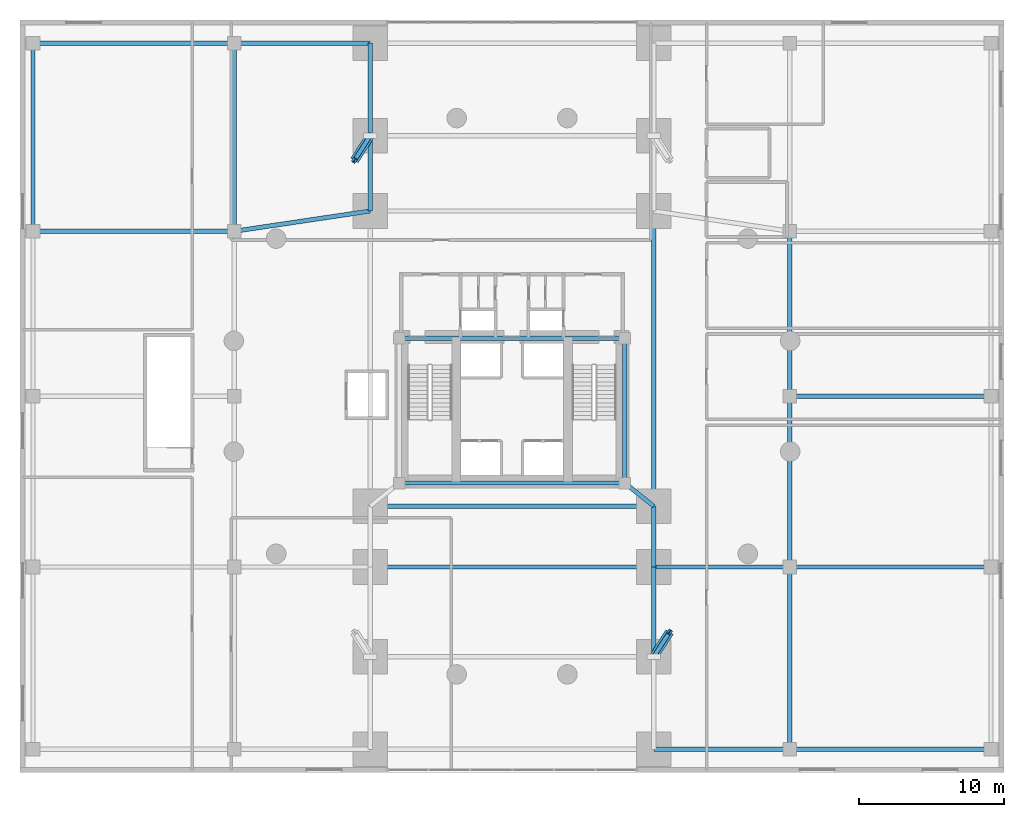
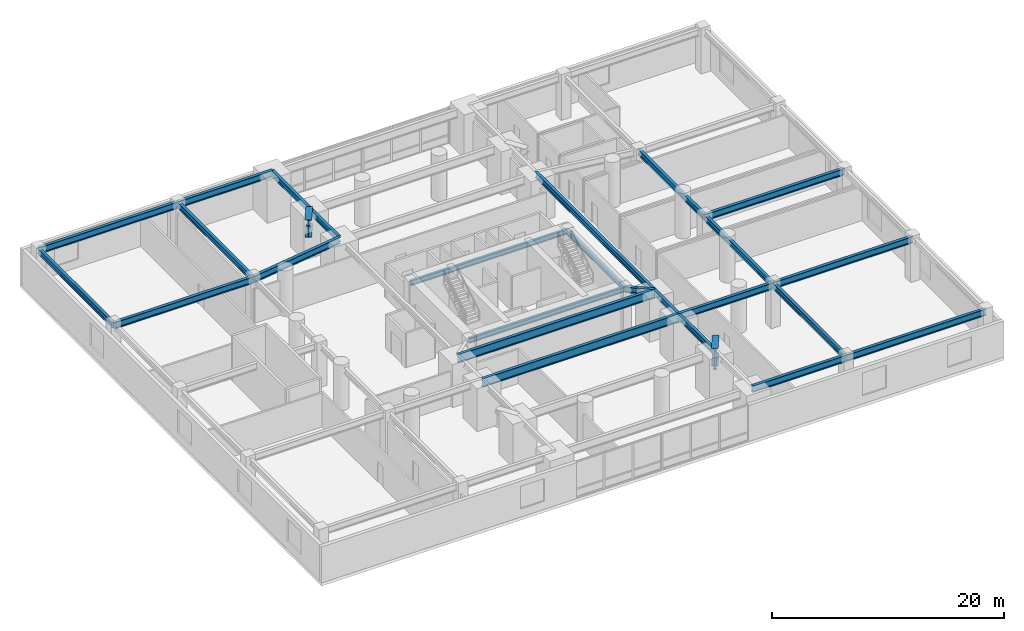
# One storey, part 9 of 17: 27 beams, 2 members.
"""IFC4 building model written with IfcOpenShell, lengths in metres."""

from ifc_helpers import new_model, si_unit, direction, frame, origin, origin_2d, place, context, subcontext, project, spatial, i_section, extrude, material, material_profile, profile_set, type_object, element, save


model = new_model("IFC4")

# Units and contexts
model_context = context("Model", 3, precision=1e-05, world=origin(), true_north=direction((0.0, 1.0)))
body_context = subcontext(model_context, "Body", "Model", "MODEL_VIEW")
ifc_project = project(units=[si_unit("LENGTHUNIT", "METRE"), si_unit("AREAUNIT", "SQUARE_METRE"), si_unit("VOLUMEUNIT", "CUBIC_METRE"), si_unit("PLANEANGLEUNIT", "RADIAN"), si_unit("MASSUNIT", "GRAM", prefix="KILO"), si_unit("THERMODYNAMICTEMPERATUREUNIT", "KELVIN"), si_unit("POWERUNIT", "WATT")], contexts=[model_context])

# Site, building, storey
site_placement = place(None, origin())
site = spatial("IfcSite", under=ifc_project, at=site_placement, CompositionType="ELEMENT")
building_placement = place(site_placement, origin())
building = spatial("IfcBuilding", under=site, at=building_placement, Name="Ocrelia Relay Tower", CompositionType="ELEMENT")
storey_placement = place(building_placement, frame((0.0, 0.0, 25.199951171875)))
storey = spatial("IfcBuildingStorey", under=building, at=storey_placement, Name="L05", CompositionType="ELEMENT", Elevation=25.199951171875)

# Beams
ifc_material = material(Name="Steel S355", Category="steel")
ifc_material_profile_1 = material_profile(ifc_material, i_section(OverallWidth=0.300048828125, OverallDepth=0.5, WebThickness=0.014404296875, FlangeThickness=0.028076171875, FilletRadius=0.027099609375, at=origin_2d()), Name="HEB 500")
ifc_profile_set_1 = profile_set([ifc_material_profile_1], Name="Steel S355")
beam_type_1 = type_object("IfcBeamType", Name="BM-HEB500", PredefinedType="BEAM", material=ifc_profile_set_1)
for number, where, z_axis, x_axis, name in (
    (1, (26.199951171875, 20.0, 4.27001953125), (1.0, 0.0, 0.0), (0.0, 1.0, 0.0), "L05 Core Pilaster Tie Beam S"),
    (2, (26.199951171875, 30.0, 4.27001953125), (1.0, 0.0, 0.0), (0.0, 1.0, 0.0), "L05 Core Pilaster Tie Beam N"),
):
    element("IfcBeam", number, at=place(storey_placement, frame(where, z_axis=z_axis, x_axis=x_axis)), inside=storey, type_object=beam_type_1, Name=name, PredefinedType="BEAM", context=body_context, shape_type="SweptSolid", body=[
        extrude(i_section(OverallWidth=0.300048828125, OverallDepth=0.5, WebThickness=0.014404296875, FlangeThickness=0.028076171875, FilletRadius=0.027099609375, at=origin_2d()), origin(), (0.0, 0.0, 1.0), 15.60009765625),
    ])
beam_1_placement = place(storey_placement, frame((41.800048828125, 20.0, 4.27001953125), z_axis=(0.0, 1.0, 0.0), x_axis=(-1.0, 0.0, 0.0)))
element("IfcBeam", 3, at=beam_1_placement, inside=storey, type_object=beam_type_1, Name="L05 Core Pilaster Tie Beam E", PredefinedType="BEAM", context=body_context, shape_type="SweptSolid", body=[
    extrude(i_section(OverallWidth=0.300048828125, OverallDepth=0.5, WebThickness=0.014404296875, FlangeThickness=0.028076171875, FilletRadius=0.027099609375, at=origin_2d()), origin(), (0.0, 0.0, 1.0), 10.0),
])
ifc_material_profile_2 = material_profile(ifc_material, i_section(OverallWidth=0.300048828125, OverallDepth=0.60009765625, WebThickness=0.015380859375, FlangeThickness=0.030029296875, FilletRadius=0.027099609375, at=origin_2d()), Name="HEB 600")
ifc_profile_set_2 = profile_set([ifc_material_profile_2], Name="Steel S355")
beam_type_2 = type_object("IfcBeamType", Name="BM-HEB600", PredefinedType="BEAM", material=ifc_profile_set_2)
for number, where, z_axis, x_axis, name in (
    (4, (0.89990234375, 37.39990234375, 4.219970703125), (0.0, 1.0, 0.0), (-1.0, 0.0, 0.0), "L05 Podium Span Girder W-4"),
    (5, (14.800048828125, 37.39990234375, 4.219970703125), (0.0, 1.0, 0.0), (-1.0, 0.0, 0.0), "L05 Podium Span Girder IW-4"),
):
    element("IfcBeam", number, at=place(storey_placement, frame(where, z_axis=z_axis, x_axis=x_axis)), inside=storey, type_object=beam_type_2, Name=name, PredefinedType="BEAM", context=body_context, shape_type="SweptSolid", body=[
        extrude(i_section(OverallWidth=0.300048828125, OverallDepth=0.60009765625, WebThickness=0.015380859375, FlangeThickness=0.030029296875, FilletRadius=0.027099609375, at=origin_2d()), origin(), (0.0, 0.0, 1.0), 13.0),
    ])
beam_2_placement = place(storey_placement, frame((53.199951171875, 1.60009765625, 4.219970703125), z_axis=(0.0, 1.0, 0.0), x_axis=(-1.0, 0.0, 0.0)))
element("IfcBeam", 6, at=beam_2_placement, inside=storey, type_object=beam_type_2, Name="L05 Podium Span Girder IE-1", PredefinedType="BEAM", context=body_context, shape_type="SweptSolid", body=[
    extrude(i_section(OverallWidth=0.300048828125, OverallDepth=0.60009765625, WebThickness=0.015380859375, FlangeThickness=0.030029296875, FilletRadius=0.027099609375, at=origin_2d()), origin(), (0.0, 0.0, 1.0), 12.599853515625),
])
beam_3_placement = place(storey_placement, frame((53.199951171875, 14.199951171875, 4.219970703125), z_axis=(0.0, 1.0, 0.0), x_axis=(-1.0, 0.0, 0.0)))
element("IfcBeam", 7, at=beam_3_placement, inside=storey, type_object=beam_type_2, Name="L05 Podium Span Girder IE-2", PredefinedType="BEAM", context=body_context, shape_type="SweptSolid", body=[
    extrude(i_section(OverallWidth=0.300048828125, OverallDepth=0.60009765625, WebThickness=0.015380859375, FlangeThickness=0.030029296875, FilletRadius=0.027099609375, at=origin_2d()), origin(), (0.0, 0.0, 1.0), 11.800048828125),
])
beam_4_placement = place(storey_placement, frame((53.199951171875, 26.0, 4.219970703125), z_axis=(0.0, 1.0, 0.0), x_axis=(-1.0, 0.0, 0.0)))
element("IfcBeam", 8, at=beam_4_placement, inside=storey, type_object=beam_type_2, Name="L05 Podium Span Girder IE-3", PredefinedType="BEAM", context=body_context, shape_type="SweptSolid", body=[
    extrude(i_section(OverallWidth=0.300048828125, OverallDepth=0.60009765625, WebThickness=0.015380859375, FlangeThickness=0.030029296875, FilletRadius=0.027099609375, at=origin_2d()), origin(), (0.0, 0.0, 1.0), 11.39990234375),
])
beam_5_placement = place(storey_placement, frame((24.199951171875, 38.800048828125, 4.219970703125), z_axis=(0.0, 1.0, 0.0), x_axis=(-1.0, 0.0, 0.0)))
element("IfcBeam", 9, at=beam_5_placement, inside=storey, type_object=beam_type_2, Name="L05 Pier Line Tie Girder AW-4", PredefinedType="BEAM", context=body_context, shape_type="SweptSolid", body=[
    extrude(i_section(OverallWidth=0.300048828125, OverallDepth=0.60009765625, WebThickness=0.015380859375, FlangeThickness=0.030029296875, FilletRadius=0.027099609375, at=origin_2d()), origin(), (0.0, 0.0, 1.0), 5.199951171875),
])
beam_6_placement = place(storey_placement, frame((24.199951171875, 44.0, 4.219970703125), z_axis=(0.0, 1.0, 0.0), x_axis=(-1.0, 0.0, 0.0)))
element("IfcBeam", 10, at=beam_6_placement, inside=storey, type_object=beam_type_2, Name="L05 Pier Line Tie Girder AW-5", PredefinedType="BEAM", context=body_context, shape_type="SweptSolid", body=[
    extrude(i_section(OverallWidth=0.300048828125, OverallDepth=0.60009765625, WebThickness=0.015380859375, FlangeThickness=0.030029296875, FilletRadius=0.027099609375, at=origin_2d()), origin(), (0.0, 0.0, 1.0), 6.39990234375),
])
beam_7_placement = place(storey_placement, frame((43.800048828125, 8.0, 4.219970703125), z_axis=(0.0, 1.0, 0.0), x_axis=(-1.0, 0.0, 0.0)))
element("IfcBeam", 11, at=beam_7_placement, inside=storey, type_object=beam_type_2, Name="L05 Pier Line Tie Girder AE-2", PredefinedType="BEAM", context=body_context, shape_type="SweptSolid", body=[
    extrude(i_section(OverallWidth=0.300048828125, OverallDepth=0.60009765625, WebThickness=0.015380859375, FlangeThickness=0.030029296875, FilletRadius=0.027099609375, at=origin_2d()), origin(), (0.0, 0.0, 1.0), 6.199951171875),
])
beam_8_placement = place(storey_placement, frame((43.800048828125, 14.199951171875, 4.219970703125), z_axis=(0.0, 1.0, 0.0), x_axis=(-1.0, 0.0, 0.0)))
element("IfcBeam", 12, at=beam_8_placement, inside=storey, type_object=beam_type_2, Name="L05 Pier Line Tie Girder AE-3", PredefinedType="BEAM", context=body_context, shape_type="SweptSolid", body=[
    extrude(i_section(OverallWidth=0.300048828125, OverallDepth=0.60009765625, WebThickness=0.015380859375, FlangeThickness=0.030029296875, FilletRadius=0.027099609375, at=origin_2d()), origin(), (0.0, 0.0, 1.0), 4.199951171875),
])
beam_9_placement = place(storey_placement, frame((43.800048828125, 18.39990234375, 4.219970703125), z_axis=(0.0, 1.0, 0.0), x_axis=(-1.0, 0.0, 0.0)))
element("IfcBeam", 13, at=beam_9_placement, inside=storey, type_object=beam_type_2, Name="L05 Pier Line Tie Girder AE-6", PredefinedType="BEAM", context=body_context, shape_type="SweptSolid", body=[
    extrude(i_section(OverallWidth=0.300048828125, OverallDepth=0.60009765625, WebThickness=0.015380859375, FlangeThickness=0.030029296875, FilletRadius=0.027099609375, at=origin_2d()), origin(), (0.0, 0.0, 1.0), 20.400146484375),
])
beam_10_placement = place(storey_placement, frame((43.800048828125, 18.39990234375, 4.219970703125), z_axis=(-0.78085021034, 0.624718295724, 0.0), x_axis=(-0.624718295724, -0.78085021034, 0.0)))
element("IfcBeam", 14, at=beam_10_placement, inside=storey, type_object=beam_type_2, Name="L05 Core Pilaster Link Girder AES", PredefinedType="BEAM", context=body_context, shape_type="SweptSolid", body=[
    extrude(i_section(OverallWidth=0.300048828125, OverallDepth=0.60009765625, WebThickness=0.015380859375, FlangeThickness=0.030029296875, FilletRadius=0.027099609375, at=origin_2d()), origin(), (0.0, 0.0, 1.0), 2.561279296875),
])
ifc_material_profile_3 = material_profile(ifc_material, i_section(OverallWidth=0.300048828125, OverallDepth=0.699951171875, WebThickness=0.01708984375, FlangeThickness=0.031982421875, FilletRadius=0.027099609375, at=origin_2d()), Name="HEB 700")
ifc_profile_set_3 = profile_set([ifc_material_profile_3], Name="Steel S355")
beam_type_3 = type_object("IfcBeamType", Name="BM-HEB700", PredefinedType="BEAM", material=ifc_profile_set_3)
beam_11_placement = place(storey_placement, frame((43.800048828125, 1.60009765625, 4.170166015625), z_axis=(1.0, 0.0, 0.0), x_axis=(0.0, 1.0, 0.0)))
element("IfcBeam", 15, at=beam_11_placement, inside=storey, type_object=beam_type_3, Name="L05 East Inner Podium Girder S", PredefinedType="BEAM", context=body_context, shape_type="SweptSolid", body=[
    extrude(i_section(OverallWidth=0.300048828125, OverallDepth=0.699951171875, WebThickness=0.01708984375, FlangeThickness=0.031982421875, FilletRadius=0.027099609375, at=origin_2d()), origin(), (0.0, 0.0, 1.0), 9.39990234375),
])
beam_12_placement = place(storey_placement, frame((53.199951171875, 1.60009765625, 4.170166015625), z_axis=(1.0, 0.0, 0.0), x_axis=(0.0, 1.0, 0.0)))
element("IfcBeam", 16, at=beam_12_placement, inside=storey, type_object=beam_type_3, Name="L05 East Outer Podium Girder S", PredefinedType="BEAM", context=body_context, shape_type="SweptSolid", body=[
    extrude(i_section(OverallWidth=0.300048828125, OverallDepth=0.699951171875, WebThickness=0.01708984375, FlangeThickness=0.031982421875, FilletRadius=0.027099609375, at=origin_2d()), origin(), (0.0, 0.0, 1.0), 13.900146484375),
])
beam_13_placement = place(storey_placement, frame((43.800048828125, 14.199951171875, 4.170166015625), z_axis=(1.0, 0.0, 0.0), x_axis=(0.0, 1.0, 0.0)))
element("IfcBeam", 17, at=beam_13_placement, inside=storey, type_object=beam_type_3, Name="L05 East Inner Podium Girder M1", PredefinedType="BEAM", context=body_context, shape_type="SweptSolid", body=[
    extrude(i_section(OverallWidth=0.300048828125, OverallDepth=0.699951171875, WebThickness=0.01708984375, FlangeThickness=0.031982421875, FilletRadius=0.027099609375, at=origin_2d()), origin(), (0.0, 0.0, 1.0), 9.39990234375),
])
for number, where, z_axis, x_axis, name in (
    (18, (53.199951171875, 14.199951171875, 4.170166015625), (1.0, 0.0, 0.0), (0.0, 1.0, 0.0), "L05 East Outer Podium Girder M1"),
    (19, (0.89990234375, 37.39990234375, 4.170166015625), (1.0, 0.0, 0.0), (0.0, 1.0, 0.0), "L05 West Outer Podium Girder M2"),
):
    element("IfcBeam", number, at=place(storey_placement, frame(where, z_axis=z_axis, x_axis=x_axis)), inside=storey, type_object=beam_type_3, Name=name, PredefinedType="BEAM", context=body_context, shape_type="SweptSolid", body=[
        extrude(i_section(OverallWidth=0.300048828125, OverallDepth=0.699951171875, WebThickness=0.01708984375, FlangeThickness=0.031982421875, FilletRadius=0.027099609375, at=origin_2d()), origin(), (0.0, 0.0, 1.0), 13.900146484375),
    ])
beam_14_placement = place(storey_placement, frame((14.800048828125, 37.39990234375, 4.170166015625), z_axis=(0.989087708935, 0.14732787935, 0.0), x_axis=(-0.14732787935, 0.989087708935, 0.0)))
element("IfcBeam", 20, at=beam_14_placement, inside=storey, type_object=beam_type_3, Name="L05 West Inner Podium Girder M2", PredefinedType="BEAM", context=body_context, shape_type="SweptSolid", body=[
    extrude(i_section(OverallWidth=0.300048828125, OverallDepth=0.699951171875, WebThickness=0.01708984375, FlangeThickness=0.031982421875, FilletRadius=0.027099609375, at=origin_2d()), origin(), (0.0, 0.0, 1.0), 9.503662109375),
])
beam_15_placement = place(storey_placement, frame((0.89990234375, 50.39990234375, 4.170166015625), z_axis=(1.0, 0.0, 0.0), x_axis=(0.0, 1.0, 0.0)))
element("IfcBeam", 21, at=beam_15_placement, inside=storey, type_object=beam_type_3, Name="L05 West Outer Podium Girder N", PredefinedType="BEAM", context=body_context, shape_type="SweptSolid", body=[
    extrude(i_section(OverallWidth=0.300048828125, OverallDepth=0.699951171875, WebThickness=0.01708984375, FlangeThickness=0.031982421875, FilletRadius=0.027099609375, at=origin_2d()), origin(), (0.0, 0.0, 1.0), 13.900146484375),
])
beam_16_placement = place(storey_placement, frame((14.800048828125, 50.39990234375, 4.170166015625), z_axis=(1.0, 0.0, 0.0), x_axis=(0.0, 1.0, 0.0)))
element("IfcBeam", 22, at=beam_16_placement, inside=storey, type_object=beam_type_3, Name="L05 West Inner Podium Girder N", PredefinedType="BEAM", context=body_context, shape_type="SweptSolid", body=[
    extrude(i_section(OverallWidth=0.300048828125, OverallDepth=0.699951171875, WebThickness=0.01708984375, FlangeThickness=0.031982421875, FilletRadius=0.027099609375, at=origin_2d()), origin(), (0.0, 0.0, 1.0), 9.39990234375),
])
beam_17_placement = place(storey_placement, frame((53.199951171875, 26.0, 4.170166015625), z_axis=(1.0, 0.0, 0.0), x_axis=(0.0, 1.0, 0.0)))
element("IfcBeam", 23, at=beam_17_placement, inside=storey, type_object=beam_type_3, Name="L05 East Mid Podium Girder", PredefinedType="BEAM", context=body_context, shape_type="SweptSolid", body=[
    extrude(i_section(OverallWidth=0.300048828125, OverallDepth=0.699951171875, WebThickness=0.01708984375, FlangeThickness=0.031982421875, FilletRadius=0.027099609375, at=origin_2d()), origin(), (0.0, 0.0, 1.0), 13.900146484375),
])
ifc_material_profile_4 = material_profile(ifc_material, i_section(OverallWidth=0.300048828125, OverallDepth=0.89990234375, WebThickness=0.0185546875, FlangeThickness=0.034912109375, FilletRadius=0.030029296875, at=origin_2d()), Name="HEB 900")
ifc_profile_set_4 = profile_set([ifc_material_profile_4], Name="Steel S355")
beam_type_4 = type_object("IfcBeamType", Name="BM-HEB900", PredefinedType="BEAM", material=ifc_profile_set_4)
for number, where, z_axis, x_axis, name in (
    (24, (24.199951171875, 14.199951171875, 4.070068359375), (1.0, 0.0, 0.0), (0.0, 1.0, 0.0), "L05 Portal Arch Span Transfer Girder G3"),
    (25, (24.199951171875, 18.39990234375, 4.070068359375), (1.0, 0.0, 0.0), (0.0, 1.0, 0.0), "L05 Portal Arch Span Transfer Girder G4"),
):
    element("IfcBeam", number, at=place(storey_placement, frame(where, z_axis=z_axis, x_axis=x_axis)), inside=storey, type_object=beam_type_4, Name=name, PredefinedType="BEAM", context=body_context, shape_type="SweptSolid", body=[
        extrude(i_section(OverallWidth=0.300048828125, OverallDepth=0.89990234375, WebThickness=0.0185546875, FlangeThickness=0.034912109375, FilletRadius=0.030029296875, at=origin_2d()), origin(), (0.0, 0.0, 1.0), 19.60009765625),
    ])
ifc_material_profile_5 = material_profile(ifc_material, i_section(OverallWidth=0.60009765625, OverallDepth=1.85009765625, WebThickness=0.028076171875, FlangeThickness=0.0400390625, FilletRadius=0.02001953125, at=origin_2d()), Name="WPG 1850x600")
ifc_profile_set_5 = profile_set([ifc_material_profile_5], Name="Steel S355")
beam_type_5 = type_object("IfcBeamType", Name="BM-WPG1650", PredefinedType="T_BEAM", material=ifc_profile_set_5)
for number, where, z_axis, x_axis, name in (
    (26, (24.199951171875, 44.0, 3.594970703125), (-0.538741803588, -0.842470930695, 0.0), (0.842470930695, -0.538741803588, 0.0), "L05 Pier Head Transfer Cap 06"),
    (27, (43.800048828125, 8.0, 3.594970703125), (0.538741803588, 0.842470930695, 0.0), (-0.842470930695, 0.538741803588, 0.0), "L05 Pier Head Transfer Cap 14"),
):
    element("IfcBeam", number, at=place(storey_placement, frame(where, z_axis=z_axis, x_axis=x_axis)), inside=storey, type_object=beam_type_5, Name=name, PredefinedType="T_BEAM", context=body_context, shape_type="SweptSolid", body=[
        extrude(i_section(OverallWidth=0.60009765625, OverallDepth=1.85009765625, WebThickness=0.028076171875, FlangeThickness=0.0400390625, FilletRadius=0.02001953125, at=origin_2d()), origin(), (0.0, 0.0, 1.0), 2.021484375),
    ])

# Members
ifc_material_profile_6 = material_profile(ifc_material, i_section(OverallWidth=0.300048828125, OverallDepth=0.5, WebThickness=0.014404296875, FlangeThickness=0.028076171875, FilletRadius=0.027099609375, at=origin_2d()), Name="HEB 500")
ifc_profile_set_6 = profile_set([ifc_material_profile_6], Name="Steel S355")
member_type = type_object("IfcMemberType", Name="MB-RAKER-STRUT", PredefinedType="STRUT", material=ifc_profile_set_6)
for number, where, z_axis, x_axis, name in (
    (28, (24.199951171875, 44.0, 2.35009765625), (-0.390643663131, -0.610878770232, 0.688639714608), (0.842470930695, -0.538741803588, 0.0), "L05 Pier Transfer Raker 06"),
    (29, (43.800048828125, 8.0, 2.35009765625), (0.390643663131, 0.610878770232, 0.688639714608), (-0.842470930695, 0.538741803588, 0.0), "L05 Pier Transfer Raker 14"),
):
    element("IfcMember", number, at=place(storey_placement, frame(where, z_axis=z_axis, x_axis=x_axis)), inside=storey, type_object=member_type, Name=name, PredefinedType="STRUT", context=body_context, shape_type="SweptSolid", body=[
        extrude(i_section(OverallWidth=0.300048828125, OverallDepth=0.5, WebThickness=0.014404296875, FlangeThickness=0.028076171875, FilletRadius=0.027099609375, at=origin_2d()), origin(), (0.0, 0.0, 1.0), 2.7880859375),
    ])

save(model, "model.ifc")
